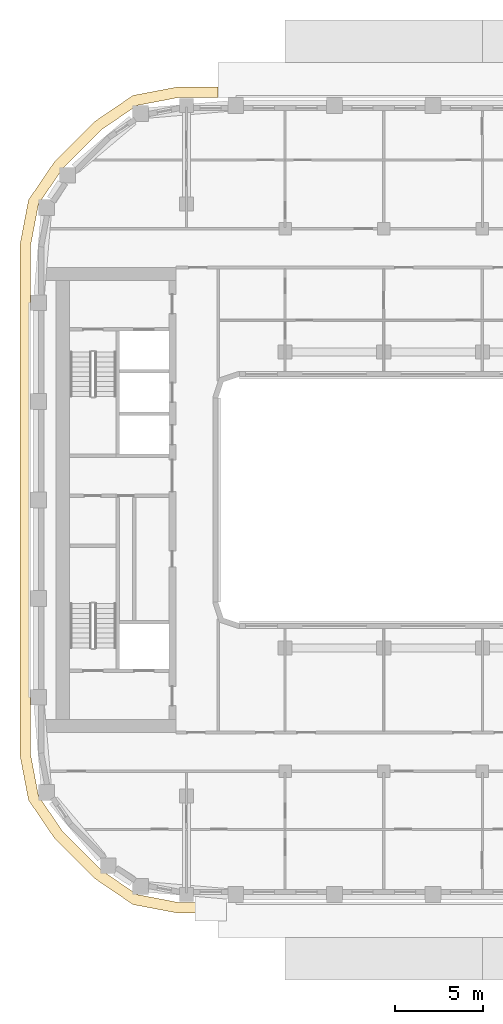
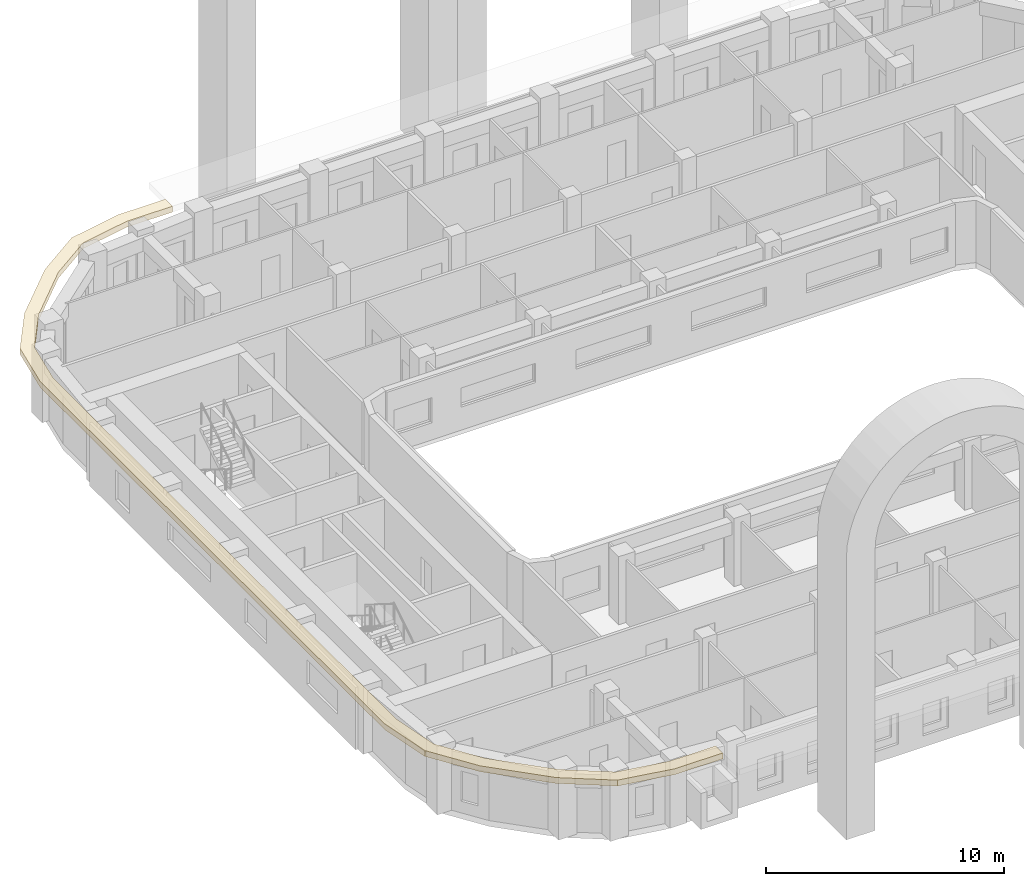
# One storey, part 11 of 18: 1 covering.
"""IFC4 building model written with IfcOpenShell, lengths in metres."""

from ifc_helpers import new_model, si_unit, direction, frame, origin, place, context, subcontext, project, spatial, polyline, outline, extrude, material, layer, layer_set, type_object, element, save


model = new_model("IFC4")

# Units and contexts
model_context = context("Model", 3, precision=1e-05, world=origin(), true_north=direction((0.0, 1.0)))
body_context = subcontext(model_context, "Body", "Model", "MODEL_VIEW")
ifc_project = project(units=[si_unit("LENGTHUNIT", "METRE"), si_unit("AREAUNIT", "SQUARE_METRE"), si_unit("VOLUMEUNIT", "CUBIC_METRE"), si_unit("PLANEANGLEUNIT", "RADIAN"), si_unit("MASSUNIT", "GRAM", prefix="KILO")], contexts=[model_context])

# Site, building, storey
site_placement = place(None, origin())
site = spatial("IfcSite", under=ifc_project, at=site_placement, CompositionType="ELEMENT")
building_placement = place(site_placement, origin())
building = spatial("IfcBuilding", under=site, at=building_placement, Name="Kiln Ring Residences", CompositionType="ELEMENT")
storey_placement = place(building_placement, frame((0.0, 0.0, 209.89990234375)))
storey = spatial("IfcBuildingStorey", under=building, at=storey_placement, Name="L54", CompositionType="ELEMENT", Elevation=209.89990234375)

# Covering
ifc_material = material(Name="Black powder-coated steel", Category="steel")
ifc_layer = layer(ifc_material, 0.300048828125)
ifc_layer_set = layer_set([ifc_layer], Name="SUNSHADE FIN 600")
covering_type = type_object("IfcCoveringType", Name="SUNSHADE FIN 600", PredefinedType="CLADDING", material=ifc_layer_set)
covering_placement = place(storey_placement, frame((0.0, 0.0, 3.2001953125)))
element("IfcCovering", 1, at=covering_placement, inside=storey, type_object=covering_type, Name="SUNSHADE FIN L54", PredefinedType="CLADDING", context=body_context, shape_type="SweptSolid", body=[
    extrude(outline(polyline([(-26.25, -14.499267578125), (-25.766357421875, -17.03466796875), (-24.315673828125, -19.169189453125), (-21.96923828125, -21.515625), (-19.834716796875, -22.96630859375), (-17.29931640625, -23.449951171875), (-15.0, -23.449951171875), (-15.0, -22.85009765625), (-17.242431640625, -22.85009765625), (-19.60009765625, -22.400390625), (-21.585205078125, -21.05126953125), (-23.851318359375, -18.78515625), (-25.2001953125, -16.800048828125), (-25.64990234375, -14.4423828125), (-25.64990234375, 14.4423828125), (-25.2001953125, 16.800048828125), (-23.851318359375, 18.78515625), (-21.585205078125, 21.05126953125), (-19.60009765625, 22.400390625), (-17.242431640625, 22.85009765625), (-15.0, 22.85009765625), (-15.0, 23.449951171875), (-17.29931640625, 23.449951171875), (-19.834716796875, 22.96630859375), (-21.96923828125, 21.515625), (-24.315673828125, 19.169189453125), (-25.766357421875, 17.03466796875), (-26.25, 14.499267578125), (-26.25, -14.499267578125)])), origin(), (0.0, 0.0, 1.0), 0.2998046875),
])

save(model, "model.ifc")
